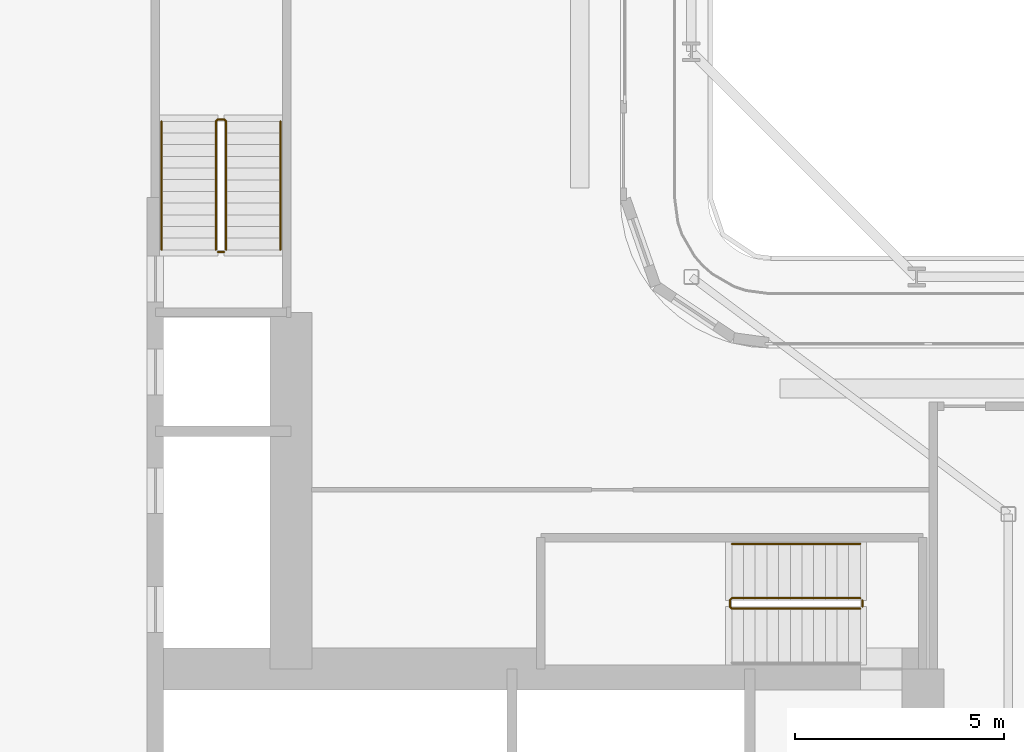
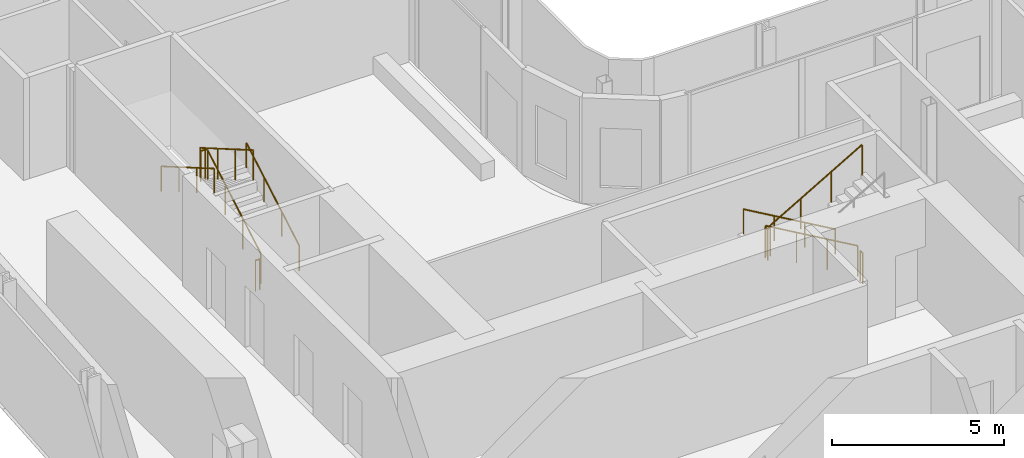
# One storey, part 23 of 28: 7 railings.
"""IFC4 building model written with IfcOpenShell, lengths in metres."""

from ifc_helpers import new_model, si_unit, direction, frame, origin, origin_2d, place, context, subcontext, project, spatial, circle, extrude, material, type_object, element, save


model = new_model("IFC4")

# Units and contexts
model_context = context("Model", 3, precision=1e-05, world=origin(), true_north=direction((0.0, 1.0)))
body_context = subcontext(model_context, "Body", "Model", "MODEL_VIEW")
ifc_project = project(units=[si_unit("LENGTHUNIT", "METRE"), si_unit("AREAUNIT", "SQUARE_METRE"), si_unit("VOLUMEUNIT", "CUBIC_METRE"), si_unit("PLANEANGLEUNIT", "RADIAN"), si_unit("MASSUNIT", "GRAM", prefix="KILO")], contexts=[model_context])

# Site, building, storey
site_placement = place(None, origin())
site = spatial("IfcSite", under=ifc_project, at=site_placement, CompositionType="ELEMENT")
building_placement = place(site_placement, origin())
building = spatial("IfcBuilding", under=site, at=building_placement, Name="Kheshtan School and Residences Tower", CompositionType="ELEMENT")
storey_placement = place(building_placement, frame((0.0, 0.0, 73.39990234375)))
storey = spatial("IfcBuildingStorey", under=building, at=storey_placement, Name="L17", CompositionType="ELEMENT", Elevation=73.39990234375)

# Railings
ifc_material_1 = material(Name="Stainless steel balustrade", Category="steel")
railing_type_1 = type_object("IfcRailingType", Name="Stair guard 1100", PredefinedType="GUARDRAIL", material=ifc_material_1)
railing_1_placement = place(storey_placement, frame((51.64990234375, 37.89990234375, 0.16259765625)))
element("IfcRailing", 1, at=railing_1_placement, inside=storey, type_object=railing_type_1, Name="L17 ST1 stair guard 1", PredefinedType="GUARDRAIL", context=body_context, shape_type="SweptSolid", body=[
    extrude(circle(Radius=0.02392578125, at=origin_2d()), frame((0.0, 0.0, 1.076171875), z_axis=(-0.864873446163, 0.0, 0.501989962173), x_axis=(0.0, -1.0, 0.0)), (0.0, 0.0, 1.0), 3.56103515625),
    extrude(circle(Radius=0.02392578125, at=origin_2d()), frame((-3.079833984375, 0.0, 2.86376953125), z_axis=(-0.708833529934, -0.705375805398, 0.0), x_axis=(0.705375805398, -0.708833529934, 0.0)), (0.0, 0.0, 1.0), 0.070556640625),
    extrude(circle(Radius=0.02392578125, at=origin_2d()), frame((-3.1298828125, -0.0498046875, 2.86376953125), z_axis=(0.0, -1.0, 0.0), x_axis=(1.0, 0.0, 0.0)), (0.0, 0.0, 1.0), 0.150146484375),
    extrude(circle(Radius=0.02392578125, at=origin_2d()), frame((-3.1298828125, -0.199951171875, 2.86376953125), z_axis=(0.282583949758, -0.282583949758, 0.916674763849), x_axis=(0.707106781187, 0.707106781187, 0.0)), (0.0, 0.0, 1.0), 0.177001953125),
    extrude(circle(Radius=0.02392578125, at=origin_2d()), frame((-3.079833984375, -0.25, 3.02587890625), z_axis=(0.864873446163, 0.0, 0.501989962173), x_axis=(0.0, 1.0, 0.0)), (0.0, 0.0, 1.0), 3.56103515625),
    extrude(circle(Radius=0.02099609375, at=origin_2d()), origin(), (0.0, 0.0, 1.0), 1.052001953125),
    extrude(circle(Radius=0.02099609375, at=origin_2d()), frame((-1.026611328125, 0.0, 0.595947265625)), (0.0, 0.0, 1.0), 1.052001953125),
    extrude(circle(Radius=0.02099609375, at=origin_2d()), frame((-2.05322265625, 0.0, 1.191650390625)), (0.0, 0.0, 1.0), 1.052001953125),
    extrude(circle(Radius=0.02099609375, at=origin_2d()), frame((-3.079833984375, 0.0, 1.78759765625)), (0.0, 0.0, 1.0), 1.052001953125),
    extrude(circle(Radius=0.02099609375, at=origin_2d()), frame((-3.1298828125, -0.0498046875, 1.78759765625)), (0.0, 0.0, 1.0), 1.052001953125),
    extrude(circle(Radius=0.02099609375, at=origin_2d()), frame((-3.1298828125, -0.199951171875, 1.78759765625)), (0.0, 0.0, 1.0), 1.052001953125),
    extrude(circle(Radius=0.02099609375, at=origin_2d()), frame((-3.079833984375, -0.25, 1.949951171875)), (0.0, 0.0, 1.0), 1.052001953125),
    extrude(circle(Radius=0.02099609375, at=origin_2d()), frame((-2.05322265625, -0.25, 2.5458984375)), (0.0, 0.0, 1.0), 1.052001953125),
    extrude(circle(Radius=0.02099609375, at=origin_2d()), frame((-1.026611328125, -0.25, 3.1416015625)), (0.0, 0.0, 1.0), 1.052001953125),
    extrude(circle(Radius=0.02099609375, at=origin_2d()), frame((0.0, -0.25, 3.737548828125)), (0.0, 0.0, 1.0), 1.052001953125),
])
railing_2_placement = place(storey_placement, frame((51.699951171875, 37.85009765625, 0.0)))
element("IfcRailing", 2, at=railing_2_placement, inside=storey, type_object=railing_type_1, Name="L17 ST1 stair guard 2", PredefinedType="GUARDRAIL", context=body_context, shape_type="SweptSolid", body=[
    extrude(circle(Radius=0.02392578125, at=origin_2d()), frame((0.0, 0.0, 1.076171875), z_axis=(0.0, -1.0, 0.0), x_axis=(1.0, 0.0, 0.0)), (0.0, 0.0, 1.0), 0.150146484375),
    extrude(circle(Radius=0.02099609375, at=origin_2d()), origin(), (0.0, 0.0, 1.0), 1.052001953125),
    extrude(circle(Radius=0.02099609375, at=origin_2d()), frame((0.0, -0.150146484375, 0.0)), (0.0, 0.0, 1.0), 1.052001953125),
])
railing_3_placement = place(storey_placement, frame((36.449951171875, 46.25, 0.16259765625)))
element("IfcRailing", 3, at=railing_3_placement, inside=storey, type_object=railing_type_1, Name="L17 ST2 stair guard 1", PredefinedType="GUARDRAIL", context=body_context, shape_type="SweptSolid", body=[
    extrude(circle(Radius=0.02392578125, at=origin_2d()), frame((0.0, 0.0, 1.076171875), z_axis=(0.0, 0.864890721111, 0.501960198159), x_axis=(-1.0, 0.0, 0.0)), (0.0, 0.0, 1.0), 3.561279296875),
    extrude(circle(Radius=0.02392578125, at=origin_2d()), frame((0.0, 3.080078125, 2.86376953125), z_axis=(-0.708833529934, 0.705375805398, 0.0), x_axis=(-0.705375805398, -0.708833529934, 0.0)), (0.0, 0.0, 1.0), 0.070556640625),
    extrude(circle(Radius=0.02392578125, at=origin_2d()), frame((-0.050048828125, 3.1298828125, 2.86376953125), z_axis=(-1.0, 0.0, 0.0), x_axis=(0.0, -1.0, 0.0)), (0.0, 0.0, 1.0), 0.14990234375),
    extrude(circle(Radius=0.02392578125, at=origin_2d()), frame((-0.199951171875, 3.1298828125, 2.86376953125), z_axis=(-0.282693820306, -0.281314826061, 0.917031173188), x_axis=(0.705375805398, -0.708833529934, 0.0)), (0.0, 0.0, 1.0), 0.177001953125),
    extrude(circle(Radius=0.02392578125, at=origin_2d()), frame((-0.25, 3.080078125, 3.02587890625), z_axis=(0.0, -0.864890721111, 0.501960198159), x_axis=(1.0, 0.0, 0.0)), (0.0, 0.0, 1.0), 3.561279296875),
    extrude(circle(Radius=0.02099609375, at=origin_2d()), origin(), (0.0, 0.0, 1.0), 1.052001953125),
    extrude(circle(Radius=0.02099609375, at=origin_2d()), frame((0.0, 1.026611328125, 0.595947265625)), (0.0, 0.0, 1.0), 1.052001953125),
    extrude(circle(Radius=0.02099609375, at=origin_2d()), frame((0.0, 2.053466796875, 1.191650390625)), (0.0, 0.0, 1.0), 1.052001953125),
    extrude(circle(Radius=0.02099609375, at=origin_2d()), frame((0.0, 3.080078125, 1.78759765625)), (0.0, 0.0, 1.0), 1.052001953125),
    extrude(circle(Radius=0.02099609375, at=origin_2d()), frame((-0.050048828125, 3.1298828125, 1.78759765625)), (0.0, 0.0, 1.0), 1.052001953125),
    extrude(circle(Radius=0.02099609375, at=origin_2d()), frame((-0.199951171875, 3.1298828125, 1.78759765625)), (0.0, 0.0, 1.0), 1.052001953125),
    extrude(circle(Radius=0.02099609375, at=origin_2d()), frame((-0.25, 3.080078125, 1.949951171875)), (0.0, 0.0, 1.0), 1.052001953125),
    extrude(circle(Radius=0.02099609375, at=origin_2d()), frame((-0.25, 2.053466796875, 2.5458984375)), (0.0, 0.0, 1.0), 1.052001953125),
    extrude(circle(Radius=0.02099609375, at=origin_2d()), frame((-0.25, 1.026611328125, 3.1416015625)), (0.0, 0.0, 1.0), 1.052001953125),
    extrude(circle(Radius=0.02099609375, at=origin_2d()), frame((-0.25, 0.0, 3.737548828125)), (0.0, 0.0, 1.0), 1.052001953125),
])
railing_4_placement = place(storey_placement, frame((36.39990234375, 46.199951171875, 0.0)))
element("IfcRailing", 4, at=railing_4_placement, inside=storey, type_object=railing_type_1, Name="L17 ST2 stair guard 2", PredefinedType="GUARDRAIL", context=body_context, shape_type="SweptSolid", body=[
    extrude(circle(Radius=0.02392578125, at=origin_2d()), frame((0.0, 0.0, 1.076171875), z_axis=(-1.0, 0.0, 0.0), x_axis=(0.0, -1.0, 0.0)), (0.0, 0.0, 1.0), 0.14990234375),
    extrude(circle(Radius=0.02099609375, at=origin_2d()), origin(), (0.0, 0.0, 1.0), 1.052001953125),
    extrude(circle(Radius=0.02099609375, at=origin_2d()), frame((-0.14990234375, 0.0, 0.0)), (0.0, 0.0, 1.0), 1.052001953125),
])
ifc_material_2 = material(Name="Stainless steel handrail", Category="steel")
railing_type_2 = type_object("IfcRailingType", Name="Stair handrail 900", PredefinedType="HANDRAIL", material=ifc_material_2)
railing_5_placement = place(storey_placement, frame((51.64990234375, 39.199951171875, 0.16259765625)))
element("IfcRailing", 5, at=railing_5_placement, inside=storey, type_object=railing_type_2, Name="L17 ST1 stair handrail 1", PredefinedType="HANDRAIL", context=body_context, shape_type="SweptSolid", body=[
    extrude(circle(Radius=0.02392578125, at=origin_2d()), frame((0.0, 0.0, 0.8759765625), z_axis=(-0.864873446163, 0.0, 0.501989962173), x_axis=(0.0, -1.0, 0.0)), (0.0, 0.0, 1.0), 3.56103515625),
    extrude(circle(Radius=0.02099609375, at=origin_2d()), origin(), (0.0, 0.0, 1.0), 0.851806640625),
    extrude(circle(Radius=0.02099609375, at=origin_2d()), frame((-1.026611328125, 0.0, 0.595947265625)), (0.0, 0.0, 1.0), 0.851806640625),
    extrude(circle(Radius=0.02099609375, at=origin_2d()), frame((-2.05322265625, 0.0, 1.191650390625)), (0.0, 0.0, 1.0), 0.851806640625),
    extrude(circle(Radius=0.02099609375, at=origin_2d()), frame((-3.079833984375, 0.0, 1.78759765625)), (0.0, 0.0, 1.0), 0.851806640625),
])
railing_6_placement = place(storey_placement, frame((37.75, 46.25, 0.16259765625)))
element("IfcRailing", 6, at=railing_6_placement, inside=storey, type_object=railing_type_2, Name="L17 ST2 stair handrail 1", PredefinedType="HANDRAIL", context=body_context, shape_type="SweptSolid", body=[
    extrude(circle(Radius=0.02392578125, at=origin_2d()), frame((0.0, 0.0, 0.8759765625), z_axis=(0.0, 0.864890721111, 0.501960198159), x_axis=(-1.0, 0.0, 0.0)), (0.0, 0.0, 1.0), 3.561279296875),
    extrude(circle(Radius=0.02099609375, at=origin_2d()), origin(), (0.0, 0.0, 1.0), 0.851806640625),
    extrude(circle(Radius=0.02099609375, at=origin_2d()), frame((0.0, 1.026611328125, 0.595947265625)), (0.0, 0.0, 1.0), 0.851806640625),
    extrude(circle(Radius=0.02099609375, at=origin_2d()), frame((0.0, 2.053466796875, 1.191650390625)), (0.0, 0.0, 1.0), 0.851806640625),
    extrude(circle(Radius=0.02099609375, at=origin_2d()), frame((0.0, 3.080078125, 1.78759765625)), (0.0, 0.0, 1.0), 0.851806640625),
])
railing_7_placement = place(storey_placement, frame((34.89990234375, 49.330078125, 2.112548828125)))
element("IfcRailing", 7, at=railing_7_placement, inside=storey, type_object=railing_type_2, Name="L17 ST2 stair handrail 2", PredefinedType="HANDRAIL", context=body_context, shape_type="SweptSolid", body=[
    extrude(circle(Radius=0.02392578125, at=origin_2d()), frame((0.0, 0.0, 0.8759765625), z_axis=(0.0, -0.864890721111, 0.501960198159), x_axis=(1.0, 0.0, 0.0)), (0.0, 0.0, 1.0), 3.561279296875),
    extrude(circle(Radius=0.02099609375, at=origin_2d()), origin(), (0.0, 0.0, 1.0), 0.851806640625),
    extrude(circle(Radius=0.02099609375, at=origin_2d()), frame((0.0, -1.026611328125, 0.595947265625)), (0.0, 0.0, 1.0), 0.851806640625),
    extrude(circle(Radius=0.02099609375, at=origin_2d()), frame((0.0, -2.053466796875, 1.191650390625)), (0.0, 0.0, 1.0), 0.851806640625),
    extrude(circle(Radius=0.02099609375, at=origin_2d()), frame((0.0, -3.080078125, 1.78759765625)), (0.0, 0.0, 1.0), 0.851806640625),
])

save(model, "model.ifc")
